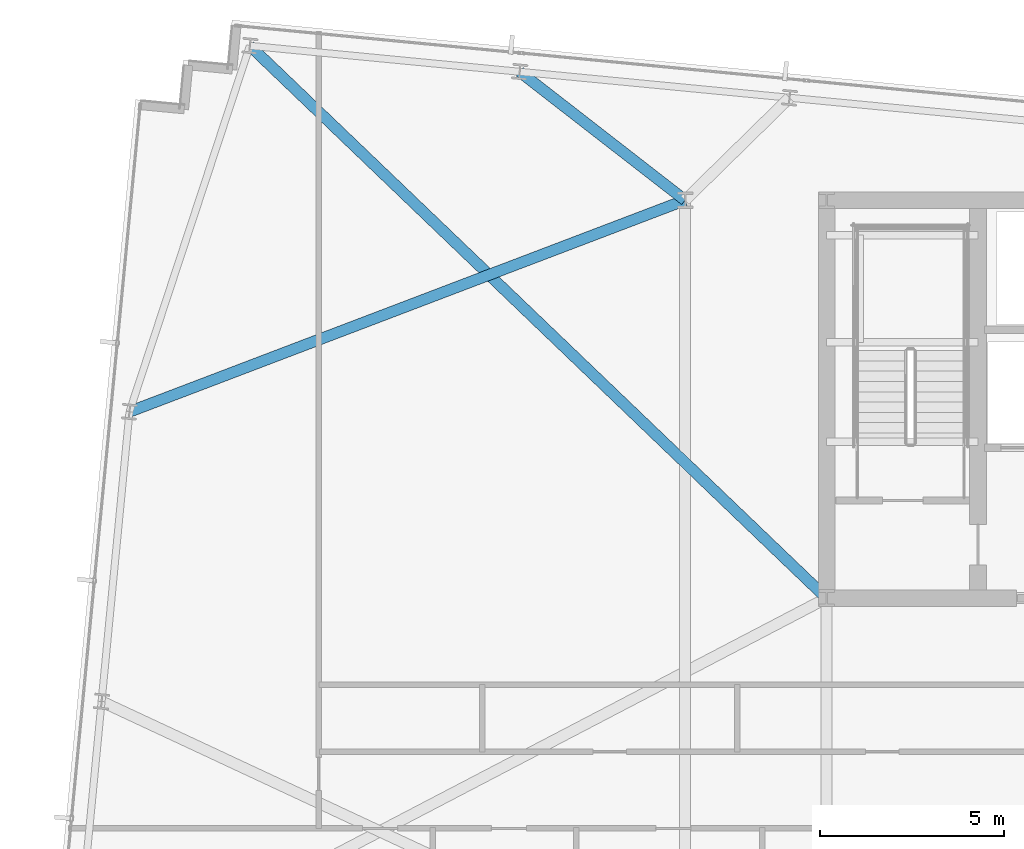
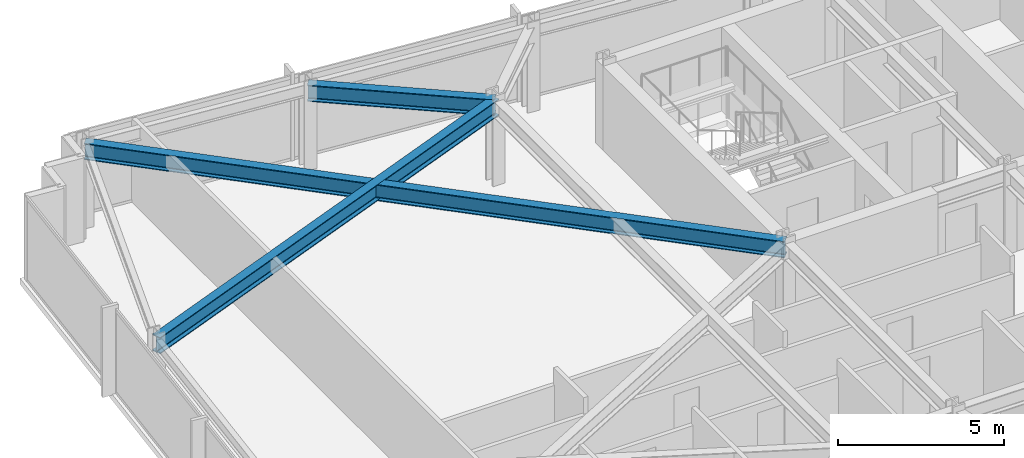
# One storey, part 22 of 37: 3 beams.
"""IFC4 building model written with IfcOpenShell, lengths in metres."""

from ifc_helpers import new_model, si_unit, direction, frame, origin, origin_2d, place, context, subcontext, project, spatial, i_section, extrude, material, material_profile, profile_set, type_object, element, save


model = new_model("IFC4")

# Units and contexts
model_context = context("Model", 3, precision=1e-05, world=origin(), true_north=direction((0.0, 1.0)))
body_context = subcontext(model_context, "Body", "Model", "MODEL_VIEW")
ifc_project = project(units=[si_unit("LENGTHUNIT", "METRE"), si_unit("AREAUNIT", "SQUARE_METRE"), si_unit("VOLUMEUNIT", "CUBIC_METRE"), si_unit("PLANEANGLEUNIT", "RADIAN"), si_unit("MASSUNIT", "GRAM", prefix="KILO")], contexts=[model_context])

# Site, building, storey
site_placement = place(None, origin())
site = spatial("IfcSite", under=ifc_project, at=site_placement, CompositionType="ELEMENT")
building_placement = place(site_placement, origin())
building = spatial("IfcBuilding", under=site, at=building_placement, Name="Yelkora Congress Tower", CompositionType="ELEMENT")
storey_placement = place(building_placement, frame((0.0, 0.0, 182.0)))
storey = spatial("IfcBuildingStorey", under=building, at=storey_placement, Name="L50", CompositionType="ELEMENT", Elevation=182.0)

# Beams
ifc_material = material(Name="Steel S355J2", Category="steel")
ifc_material_profile = material_profile(ifc_material, i_section(OverallWidth=0.300048828125, OverallDepth=0.60009765625, WebThickness=0.015380859375, FlangeThickness=0.030029296875, FilletRadius=0.027099609375, at=origin_2d()), Name="HEB 600")
ifc_profile_set = profile_set([ifc_material_profile], Name="Steel S355J2")
beam_type = type_object("IfcBeamType", Name="BM-GIRD-HEB600", PredefinedType="BEAM", material=ifc_profile_set)
beam_1_placement = place(storey_placement, frame((7.388916015625, 50.390625, 2.780029296875), z_axis=(0.722178809531, -0.691706416816, 0.0), x_axis=(0.691706416816, 0.722178809531, 0.0)))
element("IfcBeam", 1, at=beam_1_placement, inside=storey, type_object=beam_type, Name="L50 Primary Frame Girder N01", PredefinedType="BEAM", context=body_context, shape_type="SweptSolid", body=[
    extrude(i_section(OverallWidth=0.300048828125, OverallDepth=0.60009765625, WebThickness=0.015380859375, FlangeThickness=0.030029296875, FilletRadius=0.027099609375, at=origin_2d()), origin(), (0.0, 0.0, 1.0), 21.672119140625),
])
beam_2_placement = place(storey_placement, frame((14.712158203125, 49.685546875, 2.780029296875), z_axis=(0.789770770989, -0.6134020943, 0.0), x_axis=(0.6134020943, 0.789770770989, 0.0)))
element("IfcBeam", 2, at=beam_2_placement, inside=storey, type_object=beam_type, Name="L50 Primary Frame Girder N02", PredefinedType="BEAM", context=body_context, shape_type="SweptSolid", body=[
    extrude(i_section(OverallWidth=0.300048828125, OverallDepth=0.60009765625, WebThickness=0.015380859375, FlangeThickness=0.030029296875, FilletRadius=0.027099609375, at=origin_2d()), origin(), (0.0, 0.0, 1.0), 5.682373046875),
])
beam_3_placement = place(storey_placement, frame((4.121826171875, 40.4580078125, 2.780029296875), z_axis=(0.934531115392, 0.355881433013, 0.0), x_axis=(-0.355881433013, 0.934531115392, 0.0)))
element("IfcBeam", 3, at=beam_3_placement, inside=storey, type_object=beam_type, Name="L50 Primary Frame Girder W03", PredefinedType="BEAM", context=body_context, shape_type="SweptSolid", body=[
    extrude(i_section(OverallWidth=0.300048828125, OverallDepth=0.60009765625, WebThickness=0.015380859375, FlangeThickness=0.030029296875, FilletRadius=0.027099609375, at=origin_2d()), origin(), (0.0, 0.0, 1.0), 16.134521484375),
])

save(model, "model.ifc")
